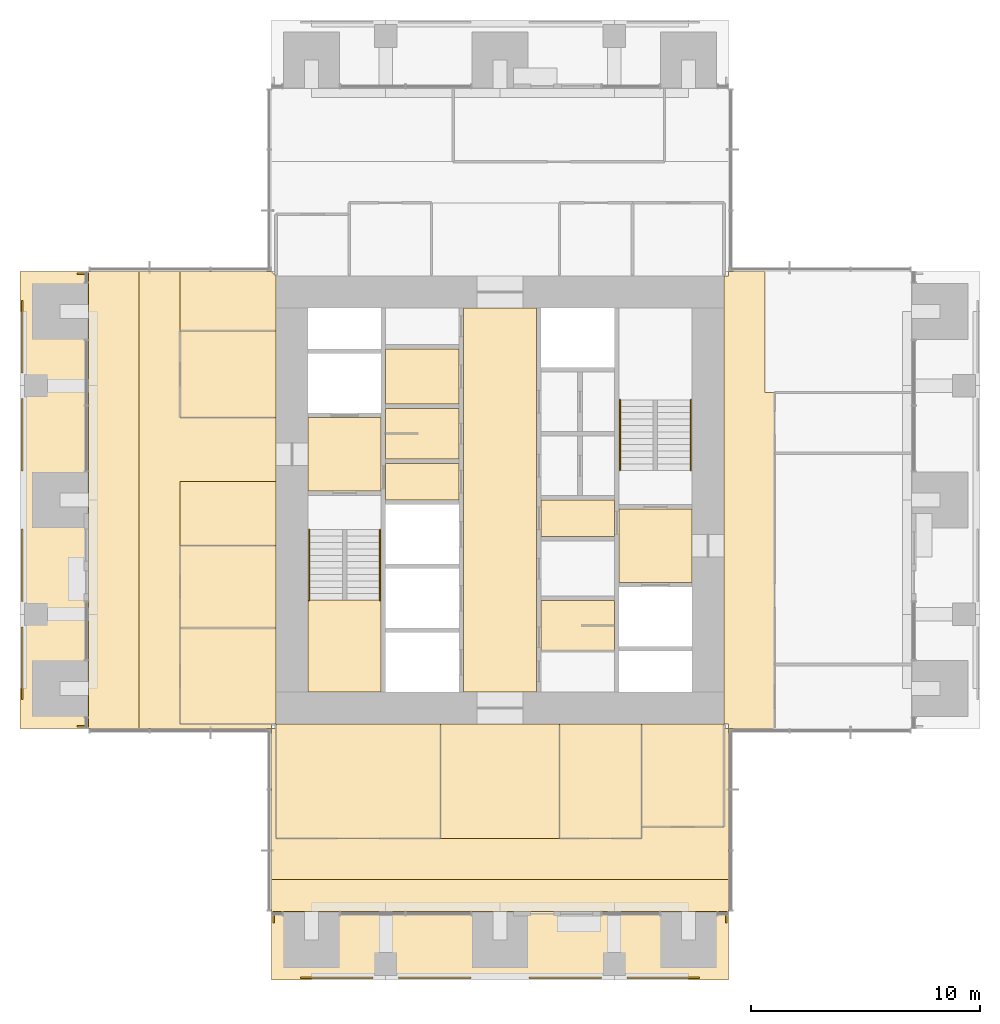
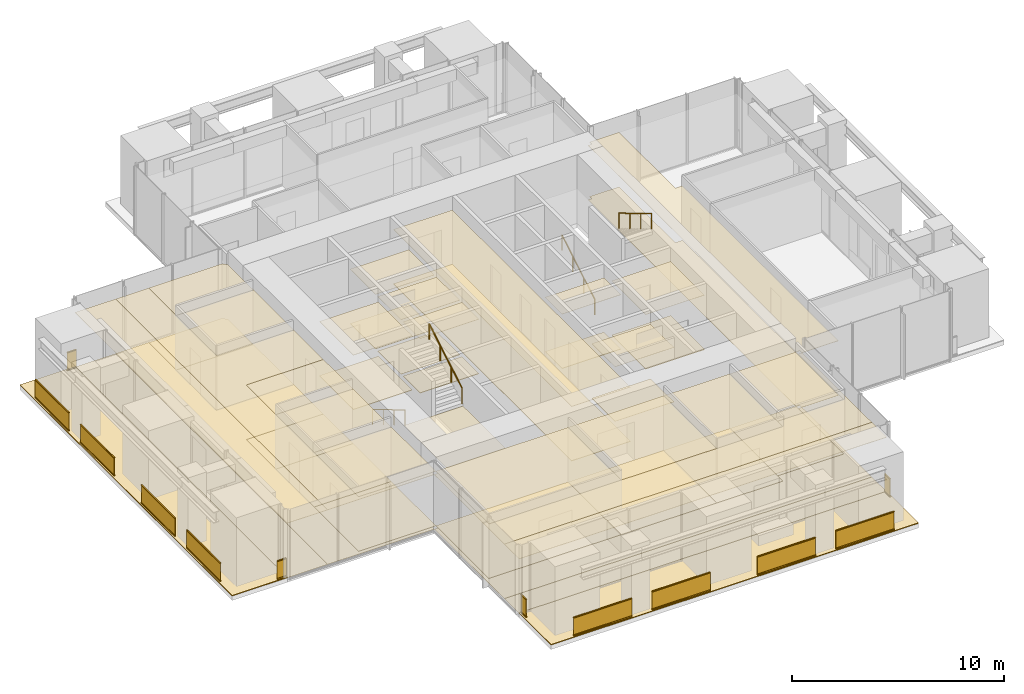
# One storey, part 15 of 17: 47 coverings, 16 railings.
"""IFC4 building model written with IfcOpenShell, lengths in metres."""

from ifc_helpers import new_model, si_unit, direction, frame, origin, origin_2d, place, context, subcontext, project, spatial, polyline, rectangle, circle, outline, extrude, material, layer, layer_set, type_object, element, save


model = new_model("IFC4")

# Units and contexts
model_context = context("Model", 3, precision=1e-05, world=origin(), true_north=direction((0.0, 1.0)))
body_context = subcontext(model_context, "Body", "Model", "MODEL_VIEW")
ifc_project = project(units=[si_unit("LENGTHUNIT", "METRE"), si_unit("AREAUNIT", "SQUARE_METRE"), si_unit("VOLUMEUNIT", "CUBIC_METRE"), si_unit("PLANEANGLEUNIT", "RADIAN"), si_unit("MASSUNIT", "GRAM", prefix="KILO")], contexts=[model_context])

# Site, building, storey
site_placement = place(None, origin())
site = spatial("IfcSite", under=ifc_project, at=site_placement, CompositionType="ELEMENT")
building_placement = place(site_placement, origin())
building = spatial("IfcBuilding", under=site, at=building_placement, Name="Svetlomir Tower", CompositionType="ELEMENT")
storey_placement = place(building_placement, frame((0.0, 0.0, 186.5)))
storey = spatial("IfcBuildingStorey", under=building, at=storey_placement, Name="L44", CompositionType="ELEMENT", Elevation=186.5)

# Railings
ifc_material_1 = material(Name="Bronze anodised aluminium and laminated glass", Category="aluminium")
railing_type_1 = type_object("IfcRailingType", Name="BALCONY GUARD GR1 1100", PredefinedType="GUARDRAIL", material=ifc_material_1)
for number, where, name in (
    (1, (12.27490234375, 0.10009765625, 0.0), "Loggia guard S L44 bay 1"),
    (2, (16.550048828125, 0.10009765625, 0.0), "Loggia guard S L44 bay 2"),
    (3, (22.27490234375, 0.10009765625, 0.0), "Loggia guard S L44 bay 3"),
    (4, (26.550048828125, 0.10009765625, 0.0), "Loggia guard S L44 bay 4"),
):
    element("IfcRailing", number, at=place(storey_placement, frame(where)), inside=storey, type_object=railing_type_1, Name=name, PredefinedType="GUARDRAIL", context=body_context, shape_type="SweptSolid", body=[
        extrude(rectangle(XDim=0.06005859375, YDim=0.10009765625, at=origin_2d()), frame((0.0, 0.0, 0.050048828125), z_axis=(1.0, 0.0, 0.0), x_axis=(0.0, 1.0, 0.0)), (0.0, 0.0, 1.0), 3.175048828125),
        extrude(rectangle(XDim=0.021484375, YDim=0.960205078125, at=origin_2d()), frame((0.0, 0.0, 0.580078125), z_axis=(1.0, 0.0, 0.0), x_axis=(0.0, 1.0, 0.0)), (0.0, 0.0, 1.0), 3.175048828125),
        extrude(rectangle(XDim=0.06005859375, YDim=0.0400390625, at=origin_2d()), frame((0.0, 0.0, 1.080078125), z_axis=(1.0, 0.0, 0.0), x_axis=(0.0, 1.0, 0.0)), (0.0, 0.0, 1.0), 3.175048828125),
    ])
for number, where, name in (
    (5, (11.10009765625, 2.5, 0.0), "Loggia guard S L44 end 1"),
    (6, (30.89990234375, 2.5, 0.0), "Loggia guard S L44 end 2"),
):
    element("IfcRailing", number, at=place(storey_placement, frame(where)), inside=storey, type_object=railing_type_1, Name=name, PredefinedType="GUARDRAIL", context=body_context, shape_type="SweptSolid", body=[
        extrude(rectangle(XDim=0.06005859375, YDim=0.10009765625, at=origin_2d()), frame((0.0, 0.0, 0.050048828125), z_axis=(0.0, 1.0, 0.0), x_axis=(-1.0, 0.0, 0.0)), (0.0, 0.0, 1.0), 0.5),
        extrude(rectangle(XDim=0.021484375, YDim=0.960205078125, at=origin_2d()), frame((0.0, 0.0, 0.580078125), z_axis=(0.0, 1.0, 0.0), x_axis=(-1.0, 0.0, 0.0)), (0.0, 0.0, 1.0), 0.5),
        extrude(rectangle(XDim=0.06005859375, YDim=0.0400390625, at=origin_2d()), frame((0.0, 0.0, 1.080078125), z_axis=(0.0, 1.0, 0.0), x_axis=(-1.0, 0.0, 0.0)), (0.0, 0.0, 1.0), 0.5),
    ])
for number, where, name in (
    (7, (0.10009765625, 12.27490234375, 0.0), "Loggia guard W L44 bay 1"),
    (8, (0.10009765625, 16.550048828125, 0.0), "Loggia guard W L44 bay 2"),
    (9, (0.10009765625, 22.27490234375, 0.0), "Loggia guard W L44 bay 3"),
    (10, (0.10009765625, 26.550048828125, 0.0), "Loggia guard W L44 bay 4"),
):
    element("IfcRailing", number, at=place(storey_placement, frame(where)), inside=storey, type_object=railing_type_1, Name=name, PredefinedType="GUARDRAIL", context=body_context, shape_type="SweptSolid", body=[
        extrude(rectangle(XDim=0.06005859375, YDim=0.10009765625, at=origin_2d()), frame((0.0, 0.0, 0.050048828125), z_axis=(0.0, 1.0, 0.0), x_axis=(-1.0, 0.0, 0.0)), (0.0, 0.0, 1.0), 3.175048828125),
        extrude(rectangle(XDim=0.021484375, YDim=0.960205078125, at=origin_2d()), frame((0.0, 0.0, 0.580078125), z_axis=(0.0, 1.0, 0.0), x_axis=(-1.0, 0.0, 0.0)), (0.0, 0.0, 1.0), 3.175048828125),
        extrude(rectangle(XDim=0.06005859375, YDim=0.0400390625, at=origin_2d()), frame((0.0, 0.0, 1.080078125), z_axis=(0.0, 1.0, 0.0), x_axis=(-1.0, 0.0, 0.0)), (0.0, 0.0, 1.0), 3.175048828125),
    ])
for number, where, name in (
    (11, (2.5, 11.10009765625, 0.0), "Loggia guard W L44 end 1"),
    (12, (2.5, 30.89990234375, 0.0), "Loggia guard W L44 end 2"),
):
    element("IfcRailing", number, at=place(storey_placement, frame(where)), inside=storey, type_object=railing_type_1, Name=name, PredefinedType="GUARDRAIL", context=body_context, shape_type="SweptSolid", body=[
        extrude(rectangle(XDim=0.06005859375, YDim=0.10009765625, at=origin_2d()), frame((0.0, 0.0, 0.050048828125), z_axis=(1.0, 0.0, 0.0), x_axis=(0.0, 1.0, 0.0)), (0.0, 0.0, 1.0), 0.5),
        extrude(rectangle(XDim=0.021484375, YDim=0.960205078125, at=origin_2d()), frame((0.0, 0.0, 0.580078125), z_axis=(1.0, 0.0, 0.0), x_axis=(0.0, 1.0, 0.0)), (0.0, 0.0, 1.0), 0.5),
        extrude(rectangle(XDim=0.06005859375, YDim=0.0400390625, at=origin_2d()), frame((0.0, 0.0, 1.080078125), z_axis=(1.0, 0.0, 0.0), x_axis=(0.0, 1.0, 0.0)), (0.0, 0.0, 1.0), 0.5),
    ])

# Coverings
ifc_material_2 = material(Name="Granite paving slabs on pedestals", Category="masonry")
ifc_layer_1 = layer(ifc_material_2, 0.0400390625)
ifc_layer_set_1 = layer_set([ifc_layer_1], Name="Granite paving slabs on pedestals")
covering_type_1 = type_object("IfcCoveringType", Name="BALCONY PAVING 40", PredefinedType="USERDEFINED", material=ifc_layer_set_1)
covering_1_placement = place(storey_placement, origin())
element("IfcCovering", 13, at=covering_1_placement, inside=storey, type_object=covering_type_1, Name="Loggia paving S L44", ObjectType="BALCONY PAVING", PredefinedType="USERDEFINED", context=body_context, shape_type="SweptSolid", body=[
    extrude(outline(polyline([(11.0, 0.0), (31.0, 0.0), (31.0, 3.0), (11.0, 3.0), (11.0, 0.0)])), origin(), (0.0, 0.0, 1.0), 0.0400390625),
])
covering_2_placement = place(storey_placement, origin())
element("IfcCovering", 14, at=covering_2_placement, inside=storey, type_object=covering_type_1, Name="Loggia paving W L44", ObjectType="BALCONY PAVING", PredefinedType="USERDEFINED", context=body_context, shape_type="SweptSolid", body=[
    extrude(outline(polyline([(0.0, 11.0), (3.0, 11.0), (3.0, 31.0), (0.0, 31.0), (0.0, 11.0)])), origin(), (0.0, 0.0, 1.0), 0.0400390625),
])
ifc_material_3 = material(Name="Carpet tile", Category="textile")
ifc_layer_2 = layer(ifc_material_3, 0.010009765625)
ifc_layer_set_2 = layer_set([ifc_layer_2], Name="Carpet tile")
covering_type_2 = type_object("IfcCoveringType", Name="CARPET TILE FLOOR 10", PredefinedType="FLOORING", material=ifc_layer_set_2)
covering_3_placement = place(storey_placement, origin())
element("IfcCovering", 15, at=covering_3_placement, inside=storey, type_object=covering_type_2, Name="Floor finish L44-18", PredefinedType="FLOORING", context=body_context, shape_type="SweptSolid", body=[
    extrude(outline(polyline([(11.199951171875, 6.199951171875), (18.39990234375, 6.199951171875), (18.39990234375, 11.199951171875), (11.199951171875, 11.199951171875), (11.199951171875, 6.199951171875)])), origin(), (0.0, 0.0, 1.0), 0.010009765625),
])
covering_4_placement = place(storey_placement, origin())
element("IfcCovering", 16, at=covering_4_placement, inside=storey, type_object=covering_type_2, Name="Floor finish L44-19", PredefinedType="FLOORING", context=body_context, shape_type="SweptSolid", body=[
    extrude(outline(polyline([(23.60009765625, 6.199951171875), (27.199951171875, 6.199951171875), (27.199951171875, 11.199951171875), (23.60009765625, 11.199951171875), (23.60009765625, 6.199951171875)])), origin(), (0.0, 0.0, 1.0), 0.010009765625),
])
covering_5_placement = place(storey_placement, origin())
element("IfcCovering", 17, at=covering_5_placement, inside=storey, type_object=covering_type_2, Name="Floor finish L44-20", PredefinedType="FLOORING", context=body_context, shape_type="SweptSolid", body=[
    extrude(outline(polyline([(27.199951171875, 6.699951171875), (30.800048828125, 6.699951171875), (30.800048828125, 11.199951171875), (27.199951171875, 11.199951171875), (27.199951171875, 6.699951171875)])), origin(), (0.0, 0.0, 1.0), 0.010009765625),
])
covering_6_placement = place(storey_placement, origin())
element("IfcCovering", 18, at=covering_6_placement, inside=storey, type_object=covering_type_2, Name="Floor finish L44-29", PredefinedType="FLOORING", context=body_context, shape_type="SweptSolid", body=[
    extrude(outline(polyline([(7.0, 11.199951171875), (11.199951171875, 11.199951171875), (11.199951171875, 15.39990234375), (7.0, 15.39990234375), (7.0, 11.199951171875)])), origin(), (0.0, 0.0, 1.0), 0.010009765625),
])
covering_7_placement = place(storey_placement, origin())
element("IfcCovering", 19, at=covering_7_placement, inside=storey, type_object=covering_type_2, Name="Floor finish L44-30", PredefinedType="FLOORING", context=body_context, shape_type="SweptSolid", body=[
    extrude(outline(polyline([(7.0, 15.39990234375), (11.199951171875, 15.39990234375), (11.199951171875, 19.0), (7.0, 19.0), (7.0, 15.39990234375)])), origin(), (0.0, 0.0, 1.0), 0.010009765625),
])
covering_8_placement = place(storey_placement, origin())
element("IfcCovering", 20, at=covering_8_placement, inside=storey, type_object=covering_type_2, Name="Floor finish L44-31", PredefinedType="FLOORING", context=body_context, shape_type="SweptSolid", body=[
    extrude(outline(polyline([(7.0, 24.60009765625), (11.199951171875, 24.60009765625), (11.199951171875, 28.39990234375), (7.0, 28.39990234375), (7.0, 24.60009765625)])), origin(), (0.0, 0.0, 1.0), 0.010009765625),
])
covering_9_placement = place(storey_placement, origin())
element("IfcCovering", 21, at=covering_9_placement, inside=storey, type_object=covering_type_2, Name="Floor finish L44-32", PredefinedType="FLOORING", context=body_context, shape_type="SweptSolid", body=[
    extrude(outline(polyline([(5.199951171875, 11.0), (5.199951171875, 31.0), (7.0, 31.0), (7.0, 24.60009765625), (11.199951171875, 24.60009765625), (11.199951171875, 21.800048828125), (7.0, 21.800048828125), (7.0, 11.199951171875), (11.0, 11.199951171875), (11.0, 11.0), (5.199951171875, 11.0)])), origin(), (0.0, 0.0, 1.0), 0.010009765625),
])
covering_10_placement = place(storey_placement, origin())
element("IfcCovering", 22, at=covering_10_placement, inside=storey, type_object=covering_type_2, Name="Floor finish L44-33", PredefinedType="FLOORING", context=body_context, shape_type="SweptSolid", body=[
    extrude(outline(polyline([(11.199951171875, 6.199951171875), (27.199951171875, 6.199951171875), (27.199951171875, 6.699951171875), (30.800048828125, 6.699951171875), (30.800048828125, 11.0), (31.0, 11.0), (31.0, 4.39990234375), (11.0, 4.39990234375), (11.0, 11.0), (11.199951171875, 11.0), (11.199951171875, 6.199951171875)])), origin(), (0.0, 0.0, 1.0), 0.010009765625),
])
covering_11_placement = place(storey_placement, origin())
element("IfcCovering", 23, at=covering_11_placement, inside=storey, type_object=covering_type_2, Name="Floor finish L44-34", PredefinedType="FLOORING", context=body_context, shape_type="SweptSolid", body=[
    extrude(outline(polyline([(30.800048828125, 11.199951171875), (30.800048828125, 30.800048828125), (31.0, 30.800048828125), (31.0, 31.0), (32.60009765625, 31.0), (32.60009765625, 25.699951171875), (33.0, 25.699951171875), (33.0, 11.0), (31.0, 11.0), (31.0, 11.199951171875), (30.800048828125, 11.199951171875)])), origin(), (0.0, 0.0, 1.0), 0.010009765625),
])
covering_12_placement = place(storey_placement, origin())
element("IfcCovering", 24, at=covering_12_placement, inside=storey, type_object=covering_type_2, Name="Floor finish L44-36", PredefinedType="FLOORING", context=body_context, shape_type="SweptSolid", body=[
    extrude(outline(polyline([(11.0, 3.0), (11.0, 4.39990234375), (31.0, 4.39990234375), (31.0, 3.0), (11.0, 3.0)])), origin(), (0.0, 0.0, 1.0), 0.010009765625),
])
covering_13_placement = place(storey_placement, origin())
element("IfcCovering", 25, at=covering_13_placement, inside=storey, type_object=covering_type_2, Name="Floor finish L44-37", PredefinedType="FLOORING", context=body_context, shape_type="SweptSolid", body=[
    extrude(outline(polyline([(23.60009765625, 11.199951171875), (23.60009765625, 6.199951171875), (18.39990234375, 6.199951171875), (18.39990234375, 11.199951171875), (23.60009765625, 11.199951171875)])), origin(), (0.0, 0.0, 1.0), 0.010009765625),
])
covering_14_placement = place(storey_placement, origin())
element("IfcCovering", 26, at=covering_14_placement, inside=storey, type_object=covering_type_2, Name="Floor finish L44-42", PredefinedType="FLOORING", context=body_context, shape_type="SweptSolid", body=[
    extrude(outline(polyline([(3.0, 31.0), (5.199951171875, 31.0), (5.199951171875, 11.0), (3.0, 11.0), (3.0, 31.0)])), origin(), (0.0, 0.0, 1.0), 0.010009765625),
])
covering_15_placement = place(storey_placement, origin())
element("IfcCovering", 27, at=covering_15_placement, inside=storey, type_object=covering_type_2, Name="Floor finish L44-43", PredefinedType="FLOORING", context=body_context, shape_type="SweptSolid", body=[
    extrude(outline(polyline([(11.199951171875, 28.39990234375), (7.0, 28.39990234375), (7.0, 31.0), (11.0, 31.0), (11.199951171875, 30.800048828125), (11.199951171875, 28.39990234375)])), origin(), (0.0, 0.0, 1.0), 0.010009765625),
])
covering_16_placement = place(storey_placement, origin())
element("IfcCovering", 28, at=covering_16_placement, inside=storey, type_object=covering_type_2, Name="Floor finish L44-44", PredefinedType="FLOORING", context=body_context, shape_type="SweptSolid", body=[
    extrude(outline(polyline([(7.0, 19.0), (7.0, 21.800048828125), (11.199951171875, 21.800048828125), (11.199951171875, 19.0), (7.0, 19.0)])), origin(), (0.0, 0.0, 1.0), 0.010009765625),
])
ifc_material_4 = material(Name="Ceramic floor tile", Category="ceramic")
ifc_layer_3 = layer(ifc_material_4, 0.014892578125)
ifc_layer_set_3 = layer_set([ifc_layer_3], Name="Ceramic floor tile")
covering_type_3 = type_object("IfcCoveringType", Name="CERAMIC TILE FLOOR 15", PredefinedType="FLOORING", material=ifc_layer_set_3)
covering_17_placement = place(storey_placement, origin())
element("IfcCovering", 29, at=covering_17_placement, inside=storey, type_object=covering_type_3, Name="Floor finish L44-04", PredefinedType="FLOORING", context=body_context, shape_type="SweptSolid", body=[
    extrude(outline(polyline([(16.0, 22.800048828125), (19.199951171875, 22.800048828125), (19.199951171875, 25.0), (16.0, 25.0), (16.0, 22.800048828125)])), origin(), (0.0, 0.0, 1.0), 0.014892578125),
])
covering_18_placement = place(storey_placement, origin())
element("IfcCovering", 30, at=covering_18_placement, inside=storey, type_object=covering_type_3, Name="Floor finish L44-05", PredefinedType="FLOORING", context=body_context, shape_type="SweptSolid", body=[
    extrude(outline(polyline([(16.0, 25.199951171875), (19.199951171875, 25.199951171875), (19.199951171875, 27.60009765625), (16.0, 27.60009765625), (16.0, 25.199951171875)])), origin(), (0.0, 0.0, 1.0), 0.014892578125),
])
covering_19_placement = place(storey_placement, origin())
element("IfcCovering", 31, at=covering_19_placement, inside=storey, type_object=covering_type_3, Name="Floor finish L44-09", PredefinedType="FLOORING", context=body_context, shape_type="SweptSolid", body=[
    extrude(outline(polyline([(22.800048828125, 14.39990234375), (26.0, 14.39990234375), (26.0, 16.60009765625), (22.800048828125, 16.60009765625), (22.800048828125, 14.39990234375)])), origin(), (0.0, 0.0, 1.0), 0.014892578125),
])

# Railings
ifc_material_5 = material(Name="Stainless steel", Category="steel")
railing_type_2 = type_object("IfcRailingType", Name="HANDRAIL HR1 900", PredefinedType="HANDRAIL", material=ifc_material_5)
railing_1_placement = place(storey_placement, frame((12.64990234375, 19.699951171875, 0.166748046875)))
element("IfcRailing", 32, at=railing_1_placement, inside=storey, type_object=railing_type_2, Name="Handrail S1 flight 1 L44", PredefinedType="HANDRAIL", context=body_context, shape_type="SweptSolid", body=[
    extrude(circle(Radius=0.02392578125, at=origin_2d()), frame((0.0, 0.0, 0.8759765625), z_axis=(0.0, -0.859290745958, 0.51148745235), x_axis=(1.0, 0.0, 0.0)), (0.0, 0.0, 1.0), 3.584228515625),
    extrude(circle(Radius=0.02099609375, at=origin_2d()), origin(), (0.0, 0.0, 1.0), 0.851806640625),
    extrude(circle(Radius=0.02099609375, at=origin_2d()), frame((0.0, -1.026611328125, 0.611083984375)), (0.0, 0.0, 1.0), 0.851806640625),
    extrude(circle(Radius=0.02099609375, at=origin_2d()), frame((0.0, -2.05322265625, 1.22216796875)), (0.0, 0.0, 1.0), 0.851806640625),
    extrude(circle(Radius=0.02099609375, at=origin_2d()), frame((0.0, -3.079833984375, 1.833251953125)), (0.0, 0.0, 1.0), 0.851806640625),
])
for number, where, name in (
    (33, (15.75, 16.6201171875, 2.166748046875), "Handrail S1 flight 2 L44"),
    (34, (26.25, 22.300048828125, 0.166748046875), "Handrail S2 flight 1 L44"),
):
    element("IfcRailing", number, at=place(storey_placement, frame(where)), inside=storey, type_object=railing_type_2, Name=name, PredefinedType="HANDRAIL", context=body_context, shape_type="SweptSolid", body=[
        extrude(circle(Radius=0.02392578125, at=origin_2d()), frame((0.0, 0.0, 0.8759765625), z_axis=(0.0, 0.859290745958, 0.51148745235), x_axis=(-1.0, 0.0, 0.0)), (0.0, 0.0, 1.0), 3.584228515625),
        extrude(circle(Radius=0.02099609375, at=origin_2d()), origin(), (0.0, 0.0, 1.0), 0.851806640625),
        extrude(circle(Radius=0.02099609375, at=origin_2d()), frame((0.0, 1.026611328125, 0.611083984375)), (0.0, 0.0, 1.0), 0.851806640625),
        extrude(circle(Radius=0.02099609375, at=origin_2d()), frame((0.0, 2.05322265625, 1.22216796875)), (0.0, 0.0, 1.0), 0.851806640625),
        extrude(circle(Radius=0.02099609375, at=origin_2d()), frame((0.0, 3.079833984375, 1.833251953125)), (0.0, 0.0, 1.0), 0.851806640625),
    ])
railing_2_placement = place(storey_placement, frame((29.35009765625, 25.3798828125, 2.166748046875)))
element("IfcRailing", 35, at=railing_2_placement, inside=storey, type_object=railing_type_2, Name="Handrail S2 flight 2 L44", PredefinedType="HANDRAIL", context=body_context, shape_type="SweptSolid", body=[
    extrude(circle(Radius=0.02392578125, at=origin_2d()), frame((0.0, 0.0, 0.8759765625), z_axis=(0.0, -0.859290745958, 0.51148745235), x_axis=(1.0, 0.0, 0.0)), (0.0, 0.0, 1.0), 3.584228515625),
    extrude(circle(Radius=0.02099609375, at=origin_2d()), origin(), (0.0, 0.0, 1.0), 0.851806640625),
    extrude(circle(Radius=0.02099609375, at=origin_2d()), frame((0.0, -1.026611328125, 0.611083984375)), (0.0, 0.0, 1.0), 0.851806640625),
    extrude(circle(Radius=0.02099609375, at=origin_2d()), frame((0.0, -2.05322265625, 1.22216796875)), (0.0, 0.0, 1.0), 0.851806640625),
    extrude(circle(Radius=0.02099609375, at=origin_2d()), frame((0.0, -3.079833984375, 1.833251953125)), (0.0, 0.0, 1.0), 0.851806640625),
])

# Coverings
ifc_material_6 = material(Name="Moisture resistant plasterboard ceiling", Category="gypsum")
ifc_layer_4 = layer(ifc_material_6, 0.012451171875)
ifc_layer_set_4 = layer_set([ifc_layer_4], Name="Moisture resistant plasterboard ceiling")
covering_type_4 = type_object("IfcCoveringType", Name="MOISTURE RESISTANT CEILING 12.5", PredefinedType="CEILING", material=ifc_layer_set_4)
covering_20_placement = place(storey_placement, frame((0.0, 0.0, 3.137451171875)))
element("IfcCovering", 36, at=covering_20_placement, inside=storey, type_object=covering_type_4, Name="Ceiling L44-04", PredefinedType="CEILING", context=body_context, shape_type="SweptSolid", body=[
    extrude(outline(polyline([(16.0, 22.800048828125), (19.199951171875, 22.800048828125), (19.199951171875, 25.0), (16.0, 25.0), (16.0, 22.800048828125)])), origin(), (0.0, 0.0, 1.0), 0.012451171875),
])
covering_21_placement = place(storey_placement, frame((0.0, 0.0, 3.137451171875)))
element("IfcCovering", 37, at=covering_21_placement, inside=storey, type_object=covering_type_4, Name="Ceiling L44-05", PredefinedType="CEILING", context=body_context, shape_type="SweptSolid", body=[
    extrude(outline(polyline([(16.0, 25.199951171875), (19.199951171875, 25.199951171875), (19.199951171875, 27.60009765625), (16.0, 27.60009765625), (16.0, 25.199951171875)])), origin(), (0.0, 0.0, 1.0), 0.012451171875),
])
covering_22_placement = place(storey_placement, frame((0.0, 0.0, 3.137451171875)))
element("IfcCovering", 38, at=covering_22_placement, inside=storey, type_object=covering_type_4, Name="Ceiling L44-09", PredefinedType="CEILING", context=body_context, shape_type="SweptSolid", body=[
    extrude(outline(polyline([(22.800048828125, 14.39990234375), (26.0, 14.39990234375), (26.0, 16.60009765625), (22.800048828125, 16.60009765625), (22.800048828125, 14.39990234375)])), origin(), (0.0, 0.0, 1.0), 0.012451171875),
])
ifc_material_7 = material(Name="Gypsum plasterboard ceiling", Category="gypsum")
ifc_layer_5 = layer(ifc_material_7, 0.014892578125)
ifc_layer_set_5 = layer_set([ifc_layer_5], Name="Gypsum plasterboard ceiling")
covering_type_5 = type_object("IfcCoveringType", Name="PLASTERBOARD CEILING 15", PredefinedType="CEILING", material=ifc_layer_set_5)
covering_23_placement = place(storey_placement, frame((0.0, 0.0, 3.135009765625)))
element("IfcCovering", 39, at=covering_23_placement, inside=storey, type_object=covering_type_5, Name="Ceiling L44-02", PredefinedType="CEILING", context=body_context, shape_type="SweptSolid", body=[
    extrude(outline(polyline([(12.60009765625, 21.39990234375), (15.800048828125, 21.39990234375), (15.800048828125, 24.60009765625), (12.60009765625, 24.60009765625), (12.60009765625, 21.39990234375)])), origin(), (0.0, 0.0, 1.0), 0.014892578125),
])
covering_24_placement = place(storey_placement, frame((0.0, 0.0, 3.135009765625)))
element("IfcCovering", 40, at=covering_24_placement, inside=storey, type_object=covering_type_5, Name="Ceiling L44-03", PredefinedType="CEILING", context=body_context, shape_type="SweptSolid", body=[
    extrude(outline(polyline([(16.0, 21.0), (19.199951171875, 21.0), (19.199951171875, 22.60009765625), (16.0, 22.60009765625), (16.0, 21.0)])), origin(), (0.0, 0.0, 1.0), 0.014892578125),
])
covering_25_placement = place(storey_placement, frame((0.0, 0.0, 3.135009765625)))
element("IfcCovering", 41, at=covering_25_placement, inside=storey, type_object=covering_type_5, Name="Ceiling L44-07", PredefinedType="CEILING", context=body_context, shape_type="SweptSolid", body=[
    extrude(outline(polyline([(19.39990234375, 12.60009765625), (22.60009765625, 12.60009765625), (22.60009765625, 29.39990234375), (19.39990234375, 29.39990234375), (19.39990234375, 12.60009765625)])), origin(), (0.0, 0.0, 1.0), 0.014892578125),
])
covering_26_placement = place(storey_placement, frame((0.0, 0.0, 3.135009765625)))
element("IfcCovering", 42, at=covering_26_placement, inside=storey, type_object=covering_type_5, Name="Ceiling L44-11", PredefinedType="CEILING", context=body_context, shape_type="SweptSolid", body=[
    extrude(outline(polyline([(22.800048828125, 19.39990234375), (26.0, 19.39990234375), (26.0, 21.0), (22.800048828125, 21.0), (22.800048828125, 19.39990234375)])), origin(), (0.0, 0.0, 1.0), 0.014892578125),
])
covering_27_placement = place(storey_placement, frame((0.0, 0.0, 3.135009765625)))
element("IfcCovering", 43, at=covering_27_placement, inside=storey, type_object=covering_type_5, Name="Ceiling L44-12", PredefinedType="CEILING", context=body_context, shape_type="SweptSolid", body=[
    extrude(outline(polyline([(26.199951171875, 17.39990234375), (29.39990234375, 17.39990234375), (29.39990234375, 20.60009765625), (26.199951171875, 20.60009765625), (26.199951171875, 17.39990234375)])), origin(), (0.0, 0.0, 1.0), 0.014892578125),
])
ifc_material_8 = material(Name="Studded rubber floor finish", Category="rubber")
ifc_layer_6 = layer(ifc_material_8, 0.006103515625)
ifc_layer_set_6 = layer_set([ifc_layer_6], Name="Studded rubber floor finish")
covering_type_6 = type_object("IfcCoveringType", Name="RUBBER LANDING FINISH 6", PredefinedType="FLOORING", material=ifc_layer_set_6)
covering_28_placement = place(storey_placement, frame((0.0, 0.0, 2.0)))
element("IfcCovering", 44, at=covering_28_placement, inside=storey, type_object=covering_type_6, Name="Stair S1 landing finish L44", PredefinedType="FLOORING", context=body_context, shape_type="SweptSolid", body=[
    extrude(outline(polyline([(12.60009765625, 12.60009765625), (15.800048828125, 12.60009765625), (15.800048828125, 16.6201171875), (12.60009765625, 16.6201171875), (12.60009765625, 12.60009765625)])), origin(), (0.0, 0.0, 1.0), 0.006103515625),
])
ifc_material_9 = material(Name="Mineral fibre ceiling tile", Category="mineral")
ifc_layer_7 = layer(ifc_material_9, 0.02001953125)
ifc_layer_set_7 = layer_set([ifc_layer_7], Name="Mineral fibre ceiling tile")
covering_type_7 = type_object("IfcCoveringType", Name="SUSPENDED CEILING 20", PredefinedType="CEILING", material=ifc_layer_set_7)
covering_29_placement = place(storey_placement, frame((0.0, 0.0, 3.1298828125)))
element("IfcCovering", 45, at=covering_29_placement, inside=storey, type_object=covering_type_7, Name="Ceiling L44-18", PredefinedType="CEILING", context=body_context, shape_type="SweptSolid", body=[
    extrude(outline(polyline([(11.199951171875, 6.199951171875), (18.39990234375, 6.199951171875), (18.39990234375, 11.199951171875), (11.199951171875, 11.199951171875), (11.199951171875, 6.199951171875)])), origin(), (0.0, 0.0, 1.0), 0.02001953125),
])
covering_30_placement = place(storey_placement, frame((0.0, 0.0, 3.1298828125)))
element("IfcCovering", 46, at=covering_30_placement, inside=storey, type_object=covering_type_7, Name="Ceiling L44-19", PredefinedType="CEILING", context=body_context, shape_type="SweptSolid", body=[
    extrude(outline(polyline([(23.60009765625, 6.199951171875), (27.199951171875, 6.199951171875), (27.199951171875, 11.199951171875), (23.60009765625, 11.199951171875), (23.60009765625, 6.199951171875)])), origin(), (0.0, 0.0, 1.0), 0.02001953125),
])
covering_31_placement = place(storey_placement, frame((0.0, 0.0, 3.1298828125)))
element("IfcCovering", 47, at=covering_31_placement, inside=storey, type_object=covering_type_7, Name="Ceiling L44-20", PredefinedType="CEILING", context=body_context, shape_type="SweptSolid", body=[
    extrude(outline(polyline([(27.199951171875, 6.699951171875), (30.800048828125, 6.699951171875), (30.800048828125, 11.199951171875), (27.199951171875, 11.199951171875), (27.199951171875, 6.699951171875)])), origin(), (0.0, 0.0, 1.0), 0.02001953125),
])
covering_32_placement = place(storey_placement, frame((0.0, 0.0, 3.1298828125)))
element("IfcCovering", 48, at=covering_32_placement, inside=storey, type_object=covering_type_7, Name="Ceiling L44-29", PredefinedType="CEILING", context=body_context, shape_type="SweptSolid", body=[
    extrude(outline(polyline([(7.0, 11.199951171875), (11.199951171875, 11.199951171875), (11.199951171875, 15.39990234375), (7.0, 15.39990234375), (7.0, 11.199951171875)])), origin(), (0.0, 0.0, 1.0), 0.02001953125),
])
covering_33_placement = place(storey_placement, frame((0.0, 0.0, 3.1298828125)))
element("IfcCovering", 49, at=covering_33_placement, inside=storey, type_object=covering_type_7, Name="Ceiling L44-30", PredefinedType="CEILING", context=body_context, shape_type="SweptSolid", body=[
    extrude(outline(polyline([(7.0, 15.39990234375), (11.199951171875, 15.39990234375), (11.199951171875, 19.0), (7.0, 19.0), (7.0, 15.39990234375)])), origin(), (0.0, 0.0, 1.0), 0.02001953125),
])
covering_34_placement = place(storey_placement, frame((0.0, 0.0, 3.1298828125)))
element("IfcCovering", 50, at=covering_34_placement, inside=storey, type_object=covering_type_7, Name="Ceiling L44-31", PredefinedType="CEILING", context=body_context, shape_type="SweptSolid", body=[
    extrude(outline(polyline([(7.0, 24.60009765625), (11.199951171875, 24.60009765625), (11.199951171875, 28.39990234375), (7.0, 28.39990234375), (7.0, 24.60009765625)])), origin(), (0.0, 0.0, 1.0), 0.02001953125),
])
covering_35_placement = place(storey_placement, frame((0.0, 0.0, 3.1298828125)))
element("IfcCovering", 51, at=covering_35_placement, inside=storey, type_object=covering_type_7, Name="Ceiling L44-32", PredefinedType="CEILING", context=body_context, shape_type="SweptSolid", body=[
    extrude(outline(polyline([(5.199951171875, 11.0), (5.199951171875, 31.0), (7.0, 31.0), (7.0, 24.60009765625), (11.199951171875, 24.60009765625), (11.199951171875, 21.800048828125), (7.0, 21.800048828125), (7.0, 11.199951171875), (11.0, 11.199951171875), (11.0, 11.0), (5.199951171875, 11.0)])), origin(), (0.0, 0.0, 1.0), 0.02001953125),
])
covering_36_placement = place(storey_placement, frame((0.0, 0.0, 3.1298828125)))
element("IfcCovering", 52, at=covering_36_placement, inside=storey, type_object=covering_type_7, Name="Ceiling L44-33", PredefinedType="CEILING", context=body_context, shape_type="SweptSolid", body=[
    extrude(outline(polyline([(11.199951171875, 6.199951171875), (27.199951171875, 6.199951171875), (27.199951171875, 6.699951171875), (30.800048828125, 6.699951171875), (30.800048828125, 11.0), (31.0, 11.0), (31.0, 4.39990234375), (11.0, 4.39990234375), (11.0, 11.0), (11.199951171875, 11.0), (11.199951171875, 6.199951171875)])), origin(), (0.0, 0.0, 1.0), 0.02001953125),
])
covering_37_placement = place(storey_placement, frame((0.0, 0.0, 3.1298828125)))
element("IfcCovering", 53, at=covering_37_placement, inside=storey, type_object=covering_type_7, Name="Ceiling L44-34", PredefinedType="CEILING", context=body_context, shape_type="SweptSolid", body=[
    extrude(outline(polyline([(30.800048828125, 11.199951171875), (30.800048828125, 30.800048828125), (31.0, 30.800048828125), (31.0, 31.0), (32.60009765625, 31.0), (32.60009765625, 25.699951171875), (33.0, 25.699951171875), (33.0, 11.0), (31.0, 11.0), (31.0, 11.199951171875), (30.800048828125, 11.199951171875)])), origin(), (0.0, 0.0, 1.0), 0.02001953125),
])
covering_38_placement = place(storey_placement, frame((0.0, 0.0, 3.1298828125)))
element("IfcCovering", 54, at=covering_38_placement, inside=storey, type_object=covering_type_7, Name="Ceiling L44-36", PredefinedType="CEILING", context=body_context, shape_type="SweptSolid", body=[
    extrude(outline(polyline([(11.0, 3.0), (11.0, 4.39990234375), (31.0, 4.39990234375), (31.0, 3.0), (11.0, 3.0)])), origin(), (0.0, 0.0, 1.0), 0.02001953125),
])
covering_39_placement = place(storey_placement, frame((0.0, 0.0, 3.1298828125)))
element("IfcCovering", 55, at=covering_39_placement, inside=storey, type_object=covering_type_7, Name="Ceiling L44-37", PredefinedType="CEILING", context=body_context, shape_type="SweptSolid", body=[
    extrude(outline(polyline([(23.60009765625, 11.199951171875), (23.60009765625, 6.199951171875), (18.39990234375, 6.199951171875), (18.39990234375, 11.199951171875), (23.60009765625, 11.199951171875)])), origin(), (0.0, 0.0, 1.0), 0.02001953125),
])
covering_40_placement = place(storey_placement, frame((0.0, 0.0, 3.1298828125)))
element("IfcCovering", 56, at=covering_40_placement, inside=storey, type_object=covering_type_7, Name="Ceiling L44-42", PredefinedType="CEILING", context=body_context, shape_type="SweptSolid", body=[
    extrude(outline(polyline([(3.0, 31.0), (5.199951171875, 31.0), (5.199951171875, 11.0), (3.0, 11.0), (3.0, 31.0)])), origin(), (0.0, 0.0, 1.0), 0.02001953125),
])
covering_41_placement = place(storey_placement, frame((0.0, 0.0, 3.1298828125)))
element("IfcCovering", 57, at=covering_41_placement, inside=storey, type_object=covering_type_7, Name="Ceiling L44-43", PredefinedType="CEILING", context=body_context, shape_type="SweptSolid", body=[
    extrude(outline(polyline([(11.199951171875, 28.39990234375), (7.0, 28.39990234375), (7.0, 31.0), (11.0, 31.0), (11.199951171875, 30.800048828125), (11.199951171875, 28.39990234375)])), origin(), (0.0, 0.0, 1.0), 0.02001953125),
])
covering_42_placement = place(storey_placement, frame((0.0, 0.0, 3.1298828125)))
element("IfcCovering", 58, at=covering_42_placement, inside=storey, type_object=covering_type_7, Name="Ceiling L44-44", PredefinedType="CEILING", context=body_context, shape_type="SweptSolid", body=[
    extrude(outline(polyline([(7.0, 19.0), (7.0, 21.800048828125), (11.199951171875, 21.800048828125), (11.199951171875, 19.0), (7.0, 19.0)])), origin(), (0.0, 0.0, 1.0), 0.02001953125),
])
ifc_material_10 = material(Name="Bronze-aggregate terrazzo", Category="stone")
ifc_layer_8 = layer(ifc_material_10, 0.030029296875)
ifc_layer_set_8 = layer_set([ifc_layer_8], Name="Bronze-aggregate terrazzo")
covering_type_8 = type_object("IfcCoveringType", Name="TERRAZZO FLOOR 30", PredefinedType="FLOORING", material=ifc_layer_set_8)
covering_43_placement = place(storey_placement, origin())
element("IfcCovering", 59, at=covering_43_placement, inside=storey, type_object=covering_type_8, Name="Floor finish L44-02", PredefinedType="FLOORING", context=body_context, shape_type="SweptSolid", body=[
    extrude(outline(polyline([(12.60009765625, 21.39990234375), (15.800048828125, 21.39990234375), (15.800048828125, 24.60009765625), (12.60009765625, 24.60009765625), (12.60009765625, 21.39990234375)])), origin(), (0.0, 0.0, 1.0), 0.030029296875),
])
covering_44_placement = place(storey_placement, origin())
element("IfcCovering", 60, at=covering_44_placement, inside=storey, type_object=covering_type_8, Name="Floor finish L44-03", PredefinedType="FLOORING", context=body_context, shape_type="SweptSolid", body=[
    extrude(outline(polyline([(16.0, 21.0), (19.199951171875, 21.0), (19.199951171875, 22.60009765625), (16.0, 22.60009765625), (16.0, 21.0)])), origin(), (0.0, 0.0, 1.0), 0.030029296875),
])
covering_45_placement = place(storey_placement, origin())
element("IfcCovering", 61, at=covering_45_placement, inside=storey, type_object=covering_type_8, Name="Floor finish L44-07", PredefinedType="FLOORING", context=body_context, shape_type="SweptSolid", body=[
    extrude(outline(polyline([(19.39990234375, 12.60009765625), (22.60009765625, 12.60009765625), (22.60009765625, 29.39990234375), (19.39990234375, 29.39990234375), (19.39990234375, 12.60009765625)])), origin(), (0.0, 0.0, 1.0), 0.030029296875),
])
covering_46_placement = place(storey_placement, origin())
element("IfcCovering", 62, at=covering_46_placement, inside=storey, type_object=covering_type_8, Name="Floor finish L44-11", PredefinedType="FLOORING", context=body_context, shape_type="SweptSolid", body=[
    extrude(outline(polyline([(22.800048828125, 19.39990234375), (26.0, 19.39990234375), (26.0, 21.0), (22.800048828125, 21.0), (22.800048828125, 19.39990234375)])), origin(), (0.0, 0.0, 1.0), 0.030029296875),
])
covering_47_placement = place(storey_placement, origin())
element("IfcCovering", 63, at=covering_47_placement, inside=storey, type_object=covering_type_8, Name="Floor finish L44-12", PredefinedType="FLOORING", context=body_context, shape_type="SweptSolid", body=[
    extrude(outline(polyline([(26.199951171875, 17.39990234375), (29.39990234375, 17.39990234375), (29.39990234375, 20.60009765625), (26.199951171875, 20.60009765625), (26.199951171875, 17.39990234375)])), origin(), (0.0, 0.0, 1.0), 0.030029296875),
])

save(model, "model.ifc")
